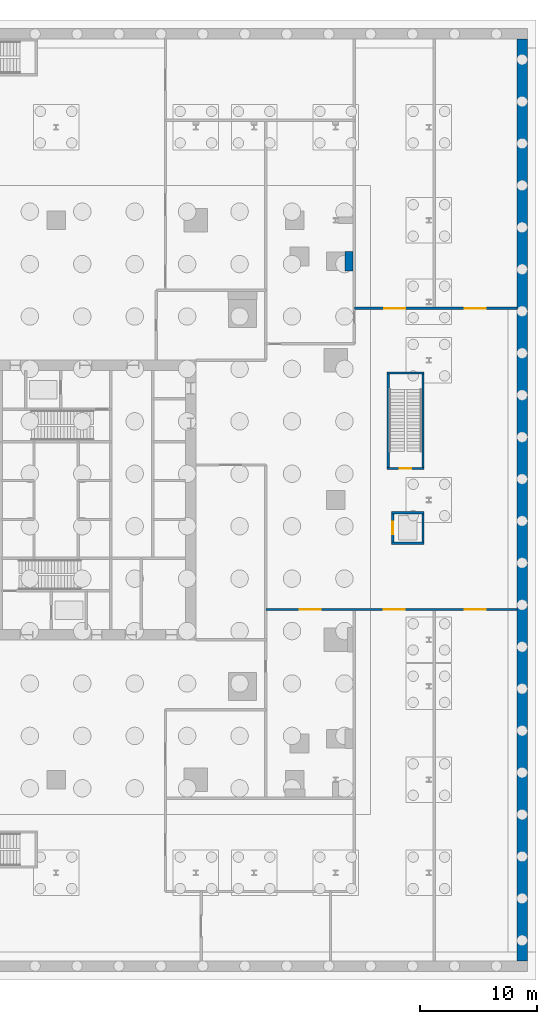
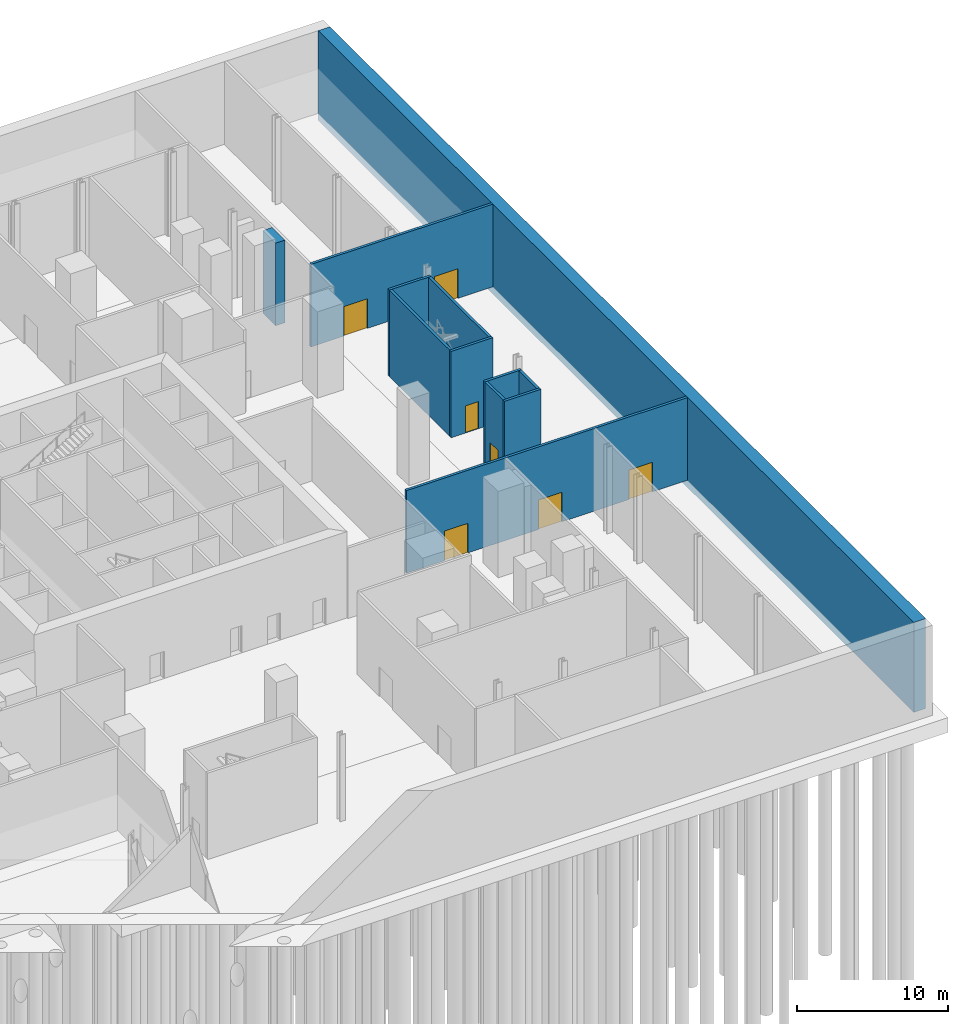
# One storey, part 10 of 15: 12 walls, 7 doors, 7 openings.
"""IFC4 building model written with IfcOpenShell, lengths in metres."""

from ifc_helpers import new_model, si_unit, direction, frame, frame_2d, origin, place, context, subcontext, project, spatial, rectangle, extrude, material, layer, layer_set, type_object, element, fill, save


model = new_model("IFC4")

# Units and contexts
model_context = context("Model", 3, precision=1e-05, world=origin(), true_north=direction((0.0, 1.0)))
body_context = subcontext(model_context, "Body", "Model", "MODEL_VIEW")
ifc_project = project(units=[si_unit("LENGTHUNIT", "METRE"), si_unit("AREAUNIT", "SQUARE_METRE"), si_unit("VOLUMEUNIT", "CUBIC_METRE"), si_unit("PLANEANGLEUNIT", "RADIAN"), si_unit("MASSUNIT", "GRAM", prefix="KILO")], contexts=[model_context])

# Site, building, storey
site_placement = place(None, origin())
site = spatial("IfcSite", under=ifc_project, at=site_placement, CompositionType="ELEMENT")
building_placement = place(site_placement, origin())
building = spatial("IfcBuilding", under=site, at=building_placement, Name="Fenwick Lantern Interchange", CompositionType="ELEMENT")
storey_placement = place(building_placement, frame((0.0, 0.0, -7.0)))
storey = spatial("IfcBuildingStorey", under=building, at=storey_placement, Name="B-1", CompositionType="ELEMENT", Elevation=-7.0)

# Walls
ifc_material_1 = material(Name="Concrete f'c 45 MPa", Category="concrete")
ifc_layer_1 = layer(ifc_material_1, 0.89990234375)
ifc_layer_set_1 = layer_set([ifc_layer_1], Name="BASEMENT RETAINING WALL 900")
wall_type_1 = type_object("IfcWallType", Name="BASEMENT RETAINING WALL 900", PredefinedType="SOLIDWALL", material=ifc_layer_set_1)
wall_1_placement = place(storey_placement, frame((65.0, -14.550048828125, -0.60009765625), z_axis=(0.0, 0.0, 1.0), x_axis=(0.0, 1.0, 0.0)))
element("IfcWall", 1, at=wall_1_placement, inside=storey, type_object=wall_type_1, Name="B-1/RW/E", PredefinedType="SOLIDWALL", context=body_context, shape_type="SweptSolid", body=[
    extrude(rectangle(XDim=79.10009765625, YDim=0.89990234375, at=frame_2d((39.550048828125, 0.0))), origin(), (0.0, 0.0, 1.0), 7.300048828125),
])
ifc_material_2 = material(Name="Fire-rated gypsum board encasement on steel studs, 2 hour", Category="steel")
ifc_layer_2 = layer(ifc_material_2, 1.699951171875)
ifc_layer_set_2 = layer_set([ifc_layer_2], Name="COLUMN PIER 1700")
wall_type_2 = type_object("IfcWallType", Name="COLUMN PIER 1700", PredefinedType="PARTITIONING", material=ifc_layer_set_2)
wall_2_placement = place(storey_placement, frame((50.5, 45.5, 0.0), z_axis=(0.0, 0.0, 1.0), x_axis=(-1.0, 0.0, 0.0)))
element("IfcWall", 2, at=wall_2_placement, inside=storey, type_object=wall_type_2, Name="B-1/W/PIER/CE5", PredefinedType="PARTITIONING", context=body_context, shape_type="SweptSolid", body=[
    extrude(rectangle(XDim=0.699951171875, YDim=1.699951171875, at=frame_2d((0.35009765625, 0.0))), origin(), (0.0, 0.0, 1.0), 6.699951171875),
])
ifc_material_3 = material(Name="Concrete masonry ASTM C90 Grade N", Category="masonry")
ifc_layer_3 = layer(ifc_material_3, 0.199951171875)
ifc_layer_set_3 = layer_set([ifc_layer_3], Name="Concrete masonry ASTM C90 Grade N")
wall_type_3 = type_object("IfcWallType", Name="LIFT SHAFT WALL 200", PredefinedType="PARTITIONING", material=ifc_layer_set_3)
wall_3_placement = place(storey_placement, frame((53.800048828125, 21.300048828125, 0.0), z_axis=(0.0, 0.0, 1.0), x_axis=(1.0, 0.0, 0.0)))
element("IfcWall", 3, at=wall_3_placement, inside=storey, type_object=wall_type_3, Name="B-1/W/PL2/S", PredefinedType="PARTITIONING", context=body_context, shape_type="SweptSolid", body=[
    extrude(rectangle(XDim=2.800048828125, YDim=0.199951171875, at=frame_2d((1.39990234375, 0.0))), origin(), (0.0, 0.0, 1.0), 6.699951171875),
])
wall_4_placement = place(storey_placement, frame((56.5, 21.39990234375, 0.0), z_axis=(0.0, 0.0, 1.0), x_axis=(0.0, 1.0, 0.0)))
element("IfcWall", 4, at=wall_4_placement, inside=storey, type_object=wall_type_3, Name="B-1/W/PL2/E", PredefinedType="PARTITIONING", context=body_context, shape_type="SweptSolid", body=[
    extrude(rectangle(XDim=2.400146484375, YDim=0.199951171875, at=frame_2d((1.2001953125, 0.0))), origin(), (0.0, 0.0, 1.0), 6.699951171875),
])
wall_5_placement = place(storey_placement, frame((56.60009765625, 23.89990234375, 0.0), z_axis=(0.0, 0.0, 1.0), x_axis=(-1.0, 0.0, 0.0)))
element("IfcWall", 5, at=wall_5_placement, inside=storey, type_object=wall_type_3, Name="B-1/W/PL2/N", PredefinedType="PARTITIONING", context=body_context, shape_type="SweptSolid", body=[
    extrude(rectangle(XDim=2.800048828125, YDim=0.199951171875, at=frame_2d((1.39990234375, 0.0))), origin(), (0.0, 0.0, 1.0), 6.699951171875),
])

# Wall, opening, door
wall_6_placement = place(storey_placement, frame((53.89990234375, 23.800048828125, 0.0), z_axis=(0.0, 0.0, 1.0), x_axis=(0.0, -1.0, 0.0)))
wall_6 = element("IfcWall", 6, at=wall_6_placement, inside=storey, type_object=wall_type_3, Name="B-1/W/PL2/W", PredefinedType="PARTITIONING", context=body_context, shape_type="SweptSolid", body=[
    extrude(rectangle(XDim=2.400146484375, YDim=0.199951171875, at=frame_2d((1.2001953125, 0.0))), origin(), (0.0, 0.0, 1.0), 6.699951171875),
])
opening_1_placement = place(wall_6_placement, frame((0.64990234375, 0.0, 0.0)))
opening_1 = element("IfcOpeningElement", 7, at=opening_1_placement, cuts=wall_6, Name="Opening LD-PL2", PredefinedType="OPENING", context=body_context, shape_type="SweptSolid", body=[
    extrude(rectangle(XDim=1.10009765625, YDim=2.199951171875, at=frame_2d((0.550048828125, 1.10009765625))), frame((0.0, 0.10986328125, 0.0), z_axis=(0.0, -1.0, 0.0), x_axis=(1.0, 0.0, 0.0)), (0.0, 0.0, 1.0), 0.219970703125),
])
ifc_material_4 = material(Name="Steel door and frame", Category="steel")
door_type_1 = type_object("IfcDoorType", Name="LIFT LANDING DOOR 1100 X 2200", OperationType="DOUBLE_DOOR_SLIDING", PredefinedType="DOOR", material=ifc_material_4)
door_1_placement = place(opening_1_placement, origin())
door_1 = element("IfcDoor", 8, at=door_1_placement, inside=storey, type_object=door_type_1, Name="Lift landing door PL2", OperationType="DOUBLE_DOOR_SLIDING", OverallHeight=2.199951171875, OverallWidth=1.10009765625, PredefinedType="DOOR", context=body_context, shape_type="SweptSolid", body=[
    extrude(rectangle(XDim=1.10009765625, YDim=2.199951171875, at=frame_2d((0.550048828125, 1.10009765625))), frame((0.0, 0.02490234375, 0.0), z_axis=(0.0, -1.0, 0.0), x_axis=(1.0, 0.0, 0.0)), (0.0, 0.0, 1.0), 0.050048828125),
])
fill(opening_1, door_1)

# Wall, openings, doors
ifc_material_5 = material(Name="Gypsum board on steel studs, 1 hour", Category="steel")
ifc_layer_4 = layer(ifc_material_5, 0.199951171875)
ifc_layer_set_4 = layer_set([ifc_layer_4], Name="ROOM WALL 200")
wall_type_4 = type_object("IfcWallType", Name="ROOM WALL 200", PredefinedType="PARTITIONING", material=ifc_layer_set_4)
wall_7_placement = place(storey_placement, frame((43.0, 15.60009765625, 0.0), z_axis=(0.0, 0.0, 1.0), x_axis=(1.0, 0.0, 0.0)))
wall_7 = element("IfcWall", 9, at=wall_7_placement, inside=storey, type_object=wall_type_4, Name="B-1/W/POD/Y15.6-1", PredefinedType="PARTITIONING", context=body_context, shape_type="SweptSolid", body=[
    extrude(rectangle(XDim=21.550048828125, YDim=0.199951171875, at=frame_2d((10.77490234375, 0.0))), origin(), (0.0, 0.0, 1.0), 6.699951171875),
])
opening_2_placement = place(wall_7_placement, frame((10.125, 0.0, 0.0)))
opening_2 = element("IfcOpeningElement", 10, at=opening_2_placement, cuts=wall_7, Name="Opening B-1-D030", PredefinedType="OPENING", context=body_context, shape_type="SweptSolid", body=[
    extrude(rectangle(XDim=1.800048828125, YDim=2.39990234375, at=frame_2d((0.89990234375, 1.199951171875))), frame((0.0, 0.10986328125, 0.0), z_axis=(0.0, -1.0, 0.0), x_axis=(1.0, 0.0, 0.0)), (0.0, 0.0, 1.0), 0.219970703125),
])
opening_3_placement = place(wall_7_placement, frame((17.074951171875, 0.0, 0.0)))
opening_3 = element("IfcOpeningElement", 11, at=opening_3_placement, cuts=wall_7, Name="Opening B-1-D031", PredefinedType="OPENING", context=body_context, shape_type="SweptSolid", body=[
    extrude(rectangle(XDim=1.800048828125, YDim=2.39990234375, at=frame_2d((0.89990234375, 1.199951171875))), frame((0.0, 0.10986328125, 0.0), z_axis=(0.0, -1.0, 0.0), x_axis=(1.0, 0.0, 0.0)), (0.0, 0.0, 1.0), 0.219970703125),
])
opening_4_placement = place(wall_7_placement, frame((2.925048828125, 0.0, 0.0)))
opening_4 = element("IfcOpeningElement", 12, at=opening_4_placement, cuts=wall_7, Name="Opening B-1-D032", PredefinedType="OPENING", context=body_context, shape_type="SweptSolid", body=[
    extrude(rectangle(XDim=1.800048828125, YDim=2.39990234375, at=frame_2d((0.89990234375, 1.199951171875))), frame((0.0, 0.10986328125, 0.0), z_axis=(0.0, -1.0, 0.0), x_axis=(1.0, 0.0, 0.0)), (0.0, 0.0, 1.0), 0.219970703125),
])
door_type_2 = type_object("IfcDoorType", Name="ROOM DOOR PAIR 1800 X 2400", OperationType="DOUBLE_DOOR_SINGLE_SWING", PredefinedType="DOOR", material=ifc_material_4)
door_2_placement = place(opening_2_placement, origin())
door_2 = element("IfcDoor", 13, at=door_2_placement, inside=storey, type_object=door_type_2, Name="Room door pair", OperationType="DOUBLE_DOOR_SINGLE_SWING", OverallHeight=2.39990234375, OverallWidth=1.800048828125, PredefinedType="DOOR", context=body_context, shape_type="SweptSolid", body=[
    extrude(rectangle(XDim=1.800048828125, YDim=2.39990234375, at=frame_2d((0.89990234375, 1.199951171875))), frame((0.0, 0.02490234375, 0.0), z_axis=(0.0, -1.0, 0.0), x_axis=(1.0, 0.0, 0.0)), (0.0, 0.0, 1.0), 0.050048828125),
])
fill(opening_2, door_2)
door_3_placement = place(opening_3_placement, origin())
door_3 = element("IfcDoor", 14, at=door_3_placement, inside=storey, type_object=door_type_2, Name="Room door pair", OperationType="DOUBLE_DOOR_SINGLE_SWING", OverallHeight=2.39990234375, OverallWidth=1.800048828125, PredefinedType="DOOR", context=body_context, shape_type="SweptSolid", body=[
    extrude(rectangle(XDim=1.800048828125, YDim=2.39990234375, at=frame_2d((0.89990234375, 1.199951171875))), frame((0.0, 0.02490234375, 0.0), z_axis=(0.0, -1.0, 0.0), x_axis=(1.0, 0.0, 0.0)), (0.0, 0.0, 1.0), 0.050048828125),
])
fill(opening_3, door_3)
door_4_placement = place(opening_4_placement, origin())
door_4 = element("IfcDoor", 15, at=door_4_placement, inside=storey, type_object=door_type_2, Name="Room door pair", OperationType="DOUBLE_DOOR_SINGLE_SWING", OverallHeight=2.39990234375, OverallWidth=1.800048828125, PredefinedType="DOOR", context=body_context, shape_type="SweptSolid", body=[
    extrude(rectangle(XDim=1.800048828125, YDim=2.39990234375, at=frame_2d((0.89990234375, 1.199951171875))), frame((0.0, 0.02490234375, 0.0), z_axis=(0.0, -1.0, 0.0), x_axis=(1.0, 0.0, 0.0)), (0.0, 0.0, 1.0), 0.050048828125),
])
fill(opening_4, door_4)

wall_8_placement = place(storey_placement, frame((50.60009765625, 41.449951171875, 0.0), z_axis=(0.0, 0.0, 1.0), x_axis=(1.0, 0.0, 0.0)))
wall_8 = element("IfcWall", 16, at=wall_8_placement, inside=storey, type_object=wall_type_4, Name="B-1/W/POD/Y41.45-1", PredefinedType="PARTITIONING", context=body_context, shape_type="SweptSolid", body=[
    extrude(rectangle(XDim=13.949951171875, YDim=0.199951171875, at=frame_2d((6.97509765625, 0.0))), origin(), (0.0, 0.0, 1.0), 6.699951171875),
])
opening_5_placement = place(wall_8_placement, frame((2.550048828125, 0.0, 0.0)))
opening_5 = element("IfcOpeningElement", 17, at=opening_5_placement, cuts=wall_8, Name="Opening B-1-D036", PredefinedType="OPENING", context=body_context, shape_type="SweptSolid", body=[
    extrude(rectangle(XDim=1.800048828125, YDim=2.39990234375, at=frame_2d((0.89990234375, 1.199951171875))), frame((0.0, 0.10986328125, 0.0), z_axis=(0.0, -1.0, 0.0), x_axis=(1.0, 0.0, 0.0)), (0.0, 0.0, 1.0), 0.219970703125),
])
opening_6_placement = place(wall_8_placement, frame((9.47509765625, 0.0, 0.0)))
opening_6 = element("IfcOpeningElement", 18, at=opening_6_placement, cuts=wall_8, Name="Opening B-1-D037", PredefinedType="OPENING", context=body_context, shape_type="SweptSolid", body=[
    extrude(rectangle(XDim=1.800048828125, YDim=2.39990234375, at=frame_2d((0.89990234375, 1.199951171875))), frame((0.0, 0.10986328125, 0.0), z_axis=(0.0, -1.0, 0.0), x_axis=(1.0, 0.0, 0.0)), (0.0, 0.0, 1.0), 0.219970703125),
])
door_5_placement = place(opening_5_placement, frame((1.800048828125, 0.0, 0.0), z_axis=(0.0, 0.0, 1.0), x_axis=(-1.0, 0.0, 0.0)))
door_5 = element("IfcDoor", 19, at=door_5_placement, inside=storey, type_object=door_type_2, Name="Room door pair", OperationType="DOUBLE_DOOR_SINGLE_SWING", OverallHeight=2.39990234375, OverallWidth=1.800048828125, PredefinedType="DOOR", context=body_context, shape_type="SweptSolid", body=[
    extrude(rectangle(XDim=1.800048828125, YDim=2.39990234375, at=frame_2d((0.89990234375, 1.199951171875))), frame((0.0, 0.02490234375, 0.0), z_axis=(0.0, -1.0, 0.0), x_axis=(1.0, 0.0, 0.0)), (0.0, 0.0, 1.0), 0.050048828125),
])
fill(opening_5, door_5)
door_6_placement = place(opening_6_placement, frame((1.800048828125, 0.0, 0.0), z_axis=(0.0, 0.0, 1.0), x_axis=(-1.0, 0.0, 0.0)))
door_6 = element("IfcDoor", 20, at=door_6_placement, inside=storey, type_object=door_type_2, Name="Room door pair", OperationType="DOUBLE_DOOR_SINGLE_SWING", OverallHeight=2.39990234375, OverallWidth=1.800048828125, PredefinedType="DOOR", context=body_context, shape_type="SweptSolid", body=[
    extrude(rectangle(XDim=1.800048828125, YDim=2.39990234375, at=frame_2d((0.89990234375, 1.199951171875))), frame((0.0, 0.02490234375, 0.0), z_axis=(0.0, -1.0, 0.0), x_axis=(1.0, 0.0, 0.0)), (0.0, 0.0, 1.0), 0.050048828125),
])
fill(opening_6, door_6)

# Wall, opening, door
ifc_material_6 = material(Name="Reinforced concrete masonry ASTM C90 Grade N", Category="masonry")
ifc_layer_5 = layer(ifc_material_6, 0.199951171875)
ifc_layer_set_5 = layer_set([ifc_layer_5], Name="Reinforced concrete masonry ASTM C90 Grade N")
wall_type_5 = type_object("IfcWallType", Name="STAIR ENCLOSURE 200", PredefinedType="SOLIDWALL", material=ifc_layer_set_5)
wall_9_placement = place(storey_placement, frame((53.39990234375, 27.699951171875, 0.0), z_axis=(0.0, 0.0, 1.0), x_axis=(1.0, 0.0, 0.0)))
wall_9 = element("IfcWall", 21, at=wall_9_placement, inside=storey, type_object=wall_type_5, Name="B-1/W/PS4/S", PredefinedType="SOLIDWALL", context=body_context, shape_type="SweptSolid", body=[
    extrude(rectangle(XDim=3.2001953125, YDim=0.199951171875, at=frame_2d((1.60009765625, 0.0))), origin(), (0.0, 0.0, 1.0), 7.0),
])
opening_7_placement = place(wall_9_placement, frame((1.10009765625, 0.0, 0.0)))
opening_7 = element("IfcOpeningElement", 22, at=opening_7_placement, cuts=wall_9, Name="Opening B-1-D020", PredefinedType="OPENING", context=body_context, shape_type="SweptSolid", body=[
    extrude(rectangle(XDim=1.0, YDim=2.199951171875, at=frame_2d((0.5, 1.10009765625))), frame((0.0, 0.10986328125, 0.0), z_axis=(0.0, -1.0, 0.0), x_axis=(1.0, 0.0, 0.0)), (0.0, 0.0, 1.0), 0.219970703125),
])
door_type_3 = type_object("IfcDoorType", Name="STAIR DOOR 1000 X 2200", OperationType="SINGLE_SWING_LEFT", PredefinedType="DOOR", material=ifc_material_4)
door_7_placement = place(opening_7_placement, origin())
door_7 = element("IfcDoor", 23, at=door_7_placement, inside=storey, type_object=door_type_3, Name="Stair door", OperationType="SINGLE_SWING_LEFT", OverallHeight=2.199951171875, OverallWidth=1.0, PredefinedType="DOOR", context=body_context, shape_type="SweptSolid", body=[
    extrude(rectangle(XDim=1.0, YDim=2.199951171875, at=frame_2d((0.5, 1.10009765625))), frame((0.0, 0.02490234375, 0.0), z_axis=(0.0, -1.0, 0.0), x_axis=(1.0, 0.0, 0.0)), (0.0, 0.0, 1.0), 0.050048828125),
])
fill(opening_7, door_7)

# Walls
wall_10_placement = place(storey_placement, frame((56.5, 27.800048828125, 0.0), z_axis=(0.0, 0.0, 1.0), x_axis=(0.0, 1.0, 0.0)))
element("IfcWall", 24, at=wall_10_placement, inside=storey, type_object=wall_type_5, Name="B-1/W/PS4/E", PredefinedType="SOLIDWALL", context=body_context, shape_type="SweptSolid", body=[
    extrude(rectangle(XDim=8.0, YDim=0.199951171875, at=frame_2d((4.0, 0.0))), origin(), (0.0, 0.0, 1.0), 7.0),
])
wall_11_placement = place(storey_placement, frame((56.60009765625, 35.89990234375, 0.0), z_axis=(0.0, 0.0, 1.0), x_axis=(-1.0, 0.0, 0.0)))
element("IfcWall", 25, at=wall_11_placement, inside=storey, type_object=wall_type_5, Name="B-1/W/PS4/N", PredefinedType="SOLIDWALL", context=body_context, shape_type="SweptSolid", body=[
    extrude(rectangle(XDim=3.2001953125, YDim=0.199951171875, at=frame_2d((1.60009765625, 0.0))), origin(), (0.0, 0.0, 1.0), 7.0),
])
wall_12_placement = place(storey_placement, frame((53.5, 35.800048828125, 0.0), z_axis=(0.0, 0.0, 1.0), x_axis=(0.0, -1.0, 0.0)))
element("IfcWall", 26, at=wall_12_placement, inside=storey, type_object=wall_type_5, Name="B-1/W/PS4/W", PredefinedType="SOLIDWALL", context=body_context, shape_type="SweptSolid", body=[
    extrude(rectangle(XDim=8.0, YDim=0.199951171875, at=frame_2d((4.0, 0.0))), origin(), (0.0, 0.0, 1.0), 7.0),
])

save(model, "model.ifc")
